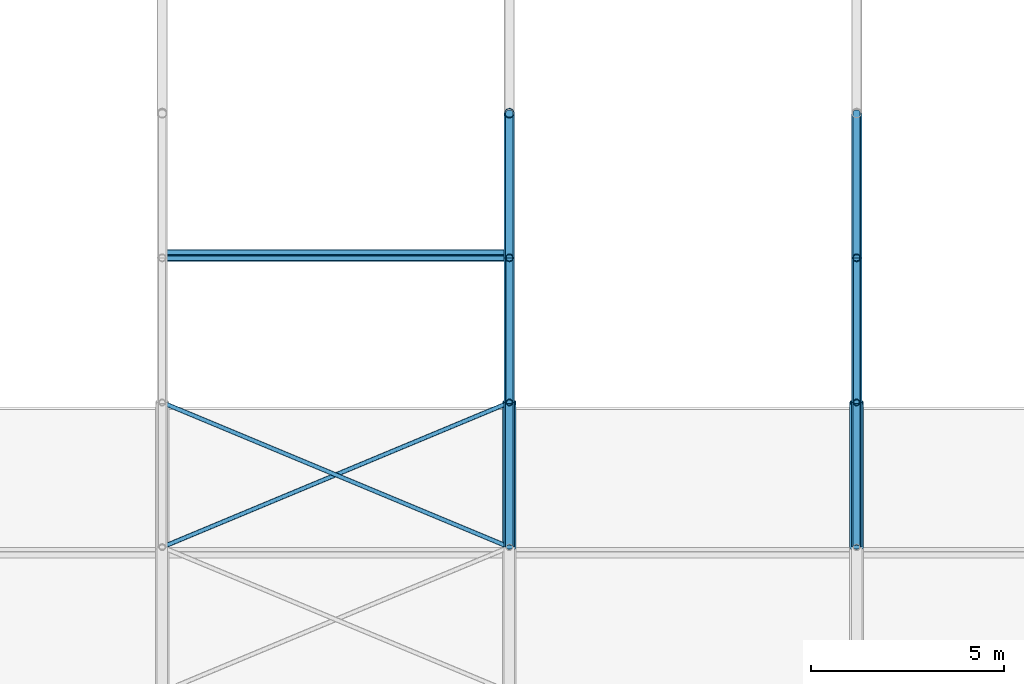
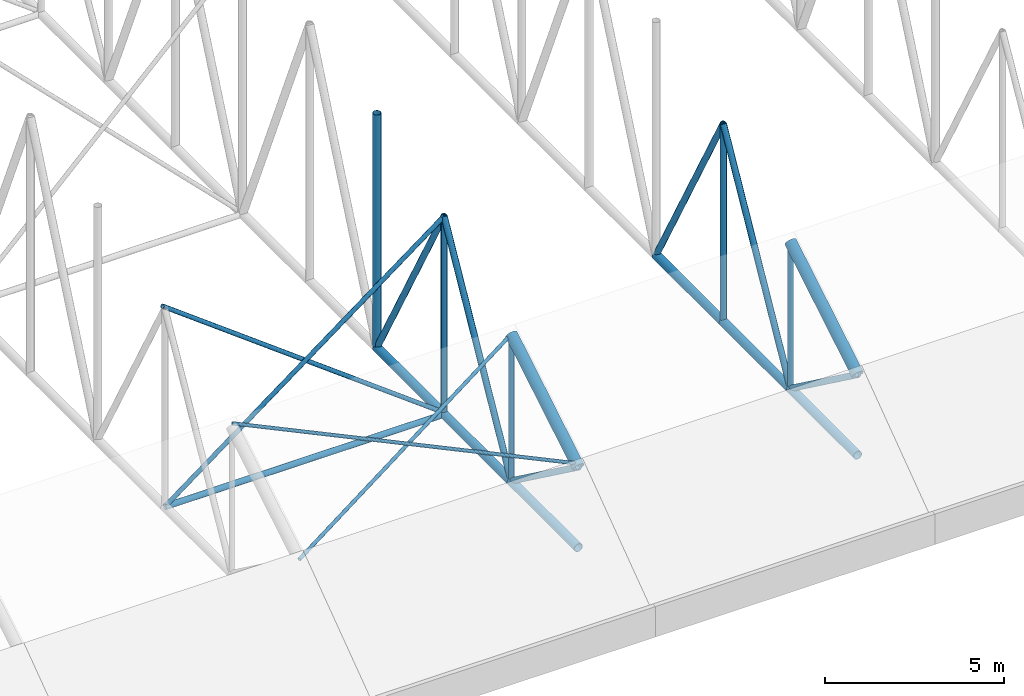
# One storey, part 53 of 153: 24 members.
"""IFC4 building model written with IfcOpenShell, lengths in metres."""

from ifc_helpers import new_model, si_unit, direction, frame, origin, origin_2d, place, context, subcontext, project, spatial, hollow_circle, extrude, material, material_profile, profile_set, type_object, element, save


model = new_model("IFC4")

# Units and contexts
model_context = context("Model", 3, precision=1e-05, world=origin(), true_north=direction((0.0, 1.0)))
body_context = subcontext(model_context, "Body", "Model", "MODEL_VIEW")
ifc_project = project(units=[si_unit("LENGTHUNIT", "METRE"), si_unit("AREAUNIT", "SQUARE_METRE"), si_unit("VOLUMEUNIT", "CUBIC_METRE"), si_unit("PLANEANGLEUNIT", "RADIAN"), si_unit("MASSUNIT", "GRAM", prefix="KILO")], contexts=[model_context])

# Site, building, storey
site_placement = place(None, origin())
site = spatial("IfcSite", under=ifc_project, at=site_placement, CompositionType="ELEMENT")
building_placement = place(site_placement, origin())
building = spatial("IfcBuilding", under=site, at=building_placement, Name="Baradari Gate Terminus", CompositionType="ELEMENT")
storey_placement = place(building_placement, frame((0.0, 0.0, 11.699951171875)))
storey = spatial("IfcBuildingStorey", under=building, at=storey_placement, Name="L02", CompositionType="ELEMENT", Elevation=11.699951171875)

# Members
ifc_material_1 = material(Name="Steel S355", Category="steel")
ifc_material_profile_1 = material_profile(ifc_material_1, hollow_circle(Radius=0.136474609375, WallThickness=0.012451171875, at=origin_2d()), Name="CHS 273x12.5")
ifc_profile_set_1 = profile_set([ifc_material_profile_1], Name="Steel S355")
member_type_1 = type_object("IfcMemberType", Name="Shed bottom chord CHS 273x12.5", PredefinedType="CHORD", material=ifc_profile_set_1)
for number, where, z_axis, x_axis, name in (
    (1, (189.0, 39.75, 0.136474609375), (0.0, 1.0, 0.0), (-1.0, 0.0, 0.0), "TR/L02/S189-BC01"),
    (2, (189.0, 43.5, 0.136474609375), (0.0, 1.0, 0.0), (-1.0, 0.0, 0.0), "TR/L02/S189-BC02"),
    (3, (189.0, 47.25, 0.136474609375), (0.0, 1.0, 0.0), (-1.0, 0.0, 0.0), "TR/L02/S189-BC03"),
    (4, (198.0, 39.75, 0.136474609375), (0.0, 1.0, 0.0), (-1.0, 0.0, 0.0), "TR/L02/S198-BC01"),
    (5, (198.0, 43.5, 0.136474609375), (0.0, 1.0, 0.0), (-1.0, 0.0, 0.0), "TR/L02/S198-BC02"),
    (6, (198.0, 47.25, 0.136474609375), (0.0, 1.0, 0.0), (-1.0, 0.0, 0.0), "TR/L02/S198-BC03"),
):
    element("IfcMember", number, at=place(storey_placement, frame(where, z_axis=z_axis, x_axis=x_axis)), inside=storey, type_object=member_type_1, Name=name, PredefinedType="CHORD", context=body_context, shape_type="SweptSolid", body=[
        extrude(hollow_circle(Radius=0.136474609375, WallThickness=0.012451171875, at=origin_2d()), origin(), (0.0, 0.0, 1.0), 3.75),
    ])
ifc_material_2 = material(Name="Steel S355", Category="steel")
ifc_material_profile_2 = material_profile(ifc_material_2, hollow_circle(Radius=0.096923828125, WallThickness=0.008056640625, at=origin_2d()), Name="CHS 193.7x8")
ifc_profile_set_2 = profile_set([ifc_material_profile_2], Name="Steel S355")
member_type_2 = type_object("IfcMemberType", Name="Shed bottom strut CHS 193.7x8", PredefinedType="STRUT", material=ifc_profile_set_2)
member_1_placement = place(storey_placement, frame((180.0, 47.25, 0.136474609375), z_axis=(1.0, 0.0, 0.0), x_axis=(0.0, 1.0, 0.0)))
element("IfcMember", 7, at=member_1_placement, inside=storey, type_object=member_type_2, Name="TR/L02/B189-ST03", PredefinedType="STRUT", context=body_context, shape_type="SweptSolid", body=[
    extrude(hollow_circle(Radius=0.096923828125, WallThickness=0.008056640625, at=origin_2d()), origin(), (0.0, 0.0, 1.0), 9.0),
])
ifc_material_3 = material(Name="Steel S355", Category="steel")
ifc_material_profile_3 = material_profile(ifc_material_3, hollow_circle(Radius=0.05712890625, WallThickness=0.00634765625, at=origin_2d()), Name="CHS 114.3x6.3")
ifc_profile_set_3 = profile_set([ifc_material_profile_3], Name="Steel S355")
member_type_3 = type_object("IfcMemberType", Name="Shed roof brace CHS 114.3x6.3", PredefinedType="BRACE", material=ifc_profile_set_3)
for number, where, z_axis, x_axis, name in (
    (8, (180.0, 39.75, 2.886474609375), (0.899438026795, 0.374765844498, 0.224859506699), (-0.384615384615, 0.923076923077, 0.0), "TR/L02/B189-RB01A"),
    (9, (189.0, 39.75, 3.000732421875), (-0.899438026795, 0.374765844498, 0.224859506699), (-0.384615384615, -0.923076923077, 0.0), "TR/L02/B189-RB01B"),
):
    element("IfcMember", number, at=place(storey_placement, frame(where, z_axis=z_axis, x_axis=x_axis)), inside=storey, type_object=member_type_3, Name=name, PredefinedType="BRACE", context=body_context, shape_type="SweptSolid", body=[
        extrude(hollow_circle(Radius=0.05712890625, WallThickness=0.00634765625, at=origin_2d()), origin(), (0.0, 0.0, 1.0), 10.00634765625),
    ])
ifc_material_4 = material(Name="Steel S355", Category="steel")
ifc_material_profile_4 = material_profile(ifc_material_4, hollow_circle(Radius=0.177734375, WallThickness=0.01611328125, at=origin_2d()), Name="CHS 355.6x16")
ifc_profile_set_4 = profile_set([ifc_material_profile_4], Name="Steel S355")
member_type_4 = type_object("IfcMemberType", Name="Shed top chord CHS 355.6x16", PredefinedType="CHORD", material=ifc_profile_set_4)
for number, where, z_axis, x_axis, name in (
    (10, (189.0, 39.75, 2.886474609375), (0.0, 0.857492925713, 0.514495755428), (-1.0, 0.0, 0.0), "TR/L02/S189-TC01"),
    (11, (198.0, 39.75, 2.886474609375), (0.0, 0.857492925713, 0.514495755428), (-1.0, 0.0, 0.0), "TR/L02/S198-TC01"),
):
    element("IfcMember", number, at=place(storey_placement, frame(where, z_axis=z_axis, x_axis=x_axis)), inside=storey, type_object=member_type_4, Name=name, PredefinedType="CHORD", context=body_context, shape_type="SweptSolid", body=[
        extrude(hollow_circle(Radius=0.177734375, WallThickness=0.01611328125, at=origin_2d()), origin(), (0.0, 0.0, 1.0), 4.373291015625),
    ])
ifc_material_5 = material(Name="Steel S355", Category="steel")
ifc_material_profile_5 = material_profile(ifc_material_5, hollow_circle(Radius=0.096923828125, WallThickness=0.008056640625, at=origin_2d()), Name="CHS 193.7x8")
ifc_profile_set_5 = profile_set([ifc_material_profile_5], Name="Steel S355")
member_type_5 = type_object("IfcMemberType", Name="Shed truss diagonal CHS 193.7x8", PredefinedType="BRACE", material=ifc_profile_set_5)
member_2_placement = place(storey_placement, frame((189.0, 39.75, 2.886474609375), z_axis=(0.0, 0.806404995856, -0.591363663628), x_axis=(-1.0, 0.0, 0.0)))
element("IfcMember", 12, at=member_2_placement, inside=storey, type_object=member_type_5, Name="TR/L02/S189-SD01", PredefinedType="BRACE", context=body_context, shape_type="SweptSolid", body=[
    extrude(hollow_circle(Radius=0.096923828125, WallThickness=0.008056640625, at=origin_2d()), origin(), (0.0, 0.0, 1.0), 4.650390625),
])
for number, where, z_axis, x_axis, name in (
    (13, (189.0, 47.25, 6.886474609375), (0.0, -0.485642931179, -0.874157276122), (1.0, 0.0, 0.0), "TR/L02/S189-SD02"),
    (14, (189.0, 47.25, 6.886474609375), (0.0, 0.485642931179, -0.874157276122), (-1.0, 0.0, 0.0), "TR/L02/S189-SD03"),
):
    element("IfcMember", number, at=place(storey_placement, frame(where, z_axis=z_axis, x_axis=x_axis)), inside=storey, type_object=member_type_5, Name=name, PredefinedType="BRACE", context=body_context, shape_type="SweptSolid", body=[
        extrude(hollow_circle(Radius=0.096923828125, WallThickness=0.008056640625, at=origin_2d()), origin(), (0.0, 0.0, 1.0), 7.7216796875),
    ])
member_3_placement = place(storey_placement, frame((198.0, 39.75, 2.886474609375), z_axis=(0.0, 0.806404995856, -0.591363663628), x_axis=(-1.0, 0.0, 0.0)))
element("IfcMember", 15, at=member_3_placement, inside=storey, type_object=member_type_5, Name="TR/L02/S198-SD01", PredefinedType="BRACE", context=body_context, shape_type="SweptSolid", body=[
    extrude(hollow_circle(Radius=0.096923828125, WallThickness=0.008056640625, at=origin_2d()), origin(), (0.0, 0.0, 1.0), 4.650390625),
])
for number, where, z_axis, x_axis, name in (
    (16, (198.0, 47.25, 6.886474609375), (0.0, -0.485642931179, -0.874157276122), (1.0, 0.0, 0.0), "TR/L02/S198-SD02"),
    (17, (198.0, 47.25, 6.886474609375), (0.0, 0.485642931179, -0.874157276122), (-1.0, 0.0, 0.0), "TR/L02/S198-SD03"),
):
    element("IfcMember", number, at=place(storey_placement, frame(where, z_axis=z_axis, x_axis=x_axis)), inside=storey, type_object=member_type_5, Name=name, PredefinedType="BRACE", context=body_context, shape_type="SweptSolid", body=[
        extrude(hollow_circle(Radius=0.096923828125, WallThickness=0.008056640625, at=origin_2d()), origin(), (0.0, 0.0, 1.0), 7.7216796875),
    ])
ifc_material_6 = material(Name="Steel S355", Category="steel")
ifc_material_profile_6 = material_profile(ifc_material_6, hollow_circle(Radius=0.084228515625, WallThickness=0.008056640625, at=origin_2d()), Name="CHS 168.3x8")
ifc_profile_set_6 = profile_set([ifc_material_profile_6], Name="Steel S355")
member_type_6 = type_object("IfcMemberType", Name="Shed truss post CHS 168.3x8", PredefinedType="POST", material=ifc_profile_set_6)
for number, where, z_axis, x_axis, name in (
    (18, (189.0, 43.5, 0.136474609375), (0.0, 0.0, 1.0), (1.0, 0.0, 0.0), "TR/L02/S189-SP02"),
    (19, (198.0, 43.5, 0.136474609375), (0.0, 0.0, 1.0), (1.0, 0.0, 0.0), "TR/L02/S198-SP02"),
):
    element("IfcMember", number, at=place(storey_placement, frame(where, z_axis=z_axis, x_axis=x_axis)), inside=storey, type_object=member_type_6, Name=name, PredefinedType="POST", context=body_context, shape_type="SweptSolid", body=[
        extrude(hollow_circle(Radius=0.084228515625, WallThickness=0.008056640625, at=origin_2d()), origin(), (0.0, 0.0, 1.0), 5.0),
    ])
ifc_material_7 = material(Name="Steel S355", Category="steel")
ifc_material_profile_7 = material_profile(ifc_material_7, hollow_circle(Radius=0.096923828125, WallThickness=0.008056640625, at=origin_2d()), Name="CHS 193.7x8")
ifc_profile_set_7 = profile_set([ifc_material_profile_7], Name="Steel S355")
member_type_7 = type_object("IfcMemberType", Name="Shed truss post CHS 193.7x8", PredefinedType="POST", material=ifc_profile_set_7)
for number, where, z_axis, x_axis, name in (
    (20, (189.0, 47.25, 0.136474609375), (0.0, 0.0, 1.0), (1.0, 0.0, 0.0), "TR/L02/S189-SP03"),
    (21, (198.0, 47.25, 0.136474609375), (0.0, 0.0, 1.0), (1.0, 0.0, 0.0), "TR/L02/S198-SP03"),
):
    element("IfcMember", number, at=place(storey_placement, frame(where, z_axis=z_axis, x_axis=x_axis)), inside=storey, type_object=member_type_7, Name=name, PredefinedType="POST", context=body_context, shape_type="SweptSolid", body=[
        extrude(hollow_circle(Radius=0.096923828125, WallThickness=0.008056640625, at=origin_2d()), origin(), (0.0, 0.0, 1.0), 6.75),
    ])
ifc_material_8 = material(Name="Steel S355", Category="steel")
ifc_material_profile_8 = material_profile(ifc_material_8, hollow_circle(Radius=0.122314453125, WallThickness=0.010009765625, at=origin_2d()), Name="CHS 244.5x10")
ifc_profile_set_8 = profile_set([ifc_material_profile_8], Name="Steel S355")
member_type_8 = type_object("IfcMemberType", Name="Shed truss post CHS 244.5x10", PredefinedType="POST", material=ifc_profile_set_8)
member_4_placement = place(storey_placement, frame((189.0, 51.0, 0.136474609375), z_axis=(0.0, 0.0, 1.0), x_axis=(1.0, 0.0, 0.0)))
element("IfcMember", 22, at=member_4_placement, inside=storey, type_object=member_type_8, Name="TR/L02/S189-SP04", PredefinedType="POST", context=body_context, shape_type="SweptSolid", body=[
    extrude(hollow_circle(Radius=0.122314453125, WallThickness=0.010009765625, at=origin_2d()), origin(), (0.0, 0.0, 1.0), 8.0),
])
ifc_material_9 = material(Name="Steel S355", Category="steel")
ifc_material_profile_9 = material_profile(ifc_material_9, hollow_circle(Radius=0.06982421875, WallThickness=0.008056640625, at=origin_2d()), Name="CHS 139.7x8")
ifc_profile_set_9 = profile_set([ifc_material_profile_9], Name="Steel S355")
member_type_9 = type_object("IfcMemberType", Name="Shed vertical brace CHS 139.7x8", PredefinedType="BRACE", material=ifc_profile_set_9)
for number, where, z_axis, x_axis, name in (
    (23, (180.0, 47.25, 0.136474609375), (0.8, 0.0, 0.6), (0.0, 1.0, 0.0), "TR/L02/B189-VB03A"),
    (24, (180.0, 47.3896484375, 6.886474609375), (0.8, 0.0, -0.6), (0.0, 1.0, 0.0), "TR/L02/B189-VB03B"),
):
    element("IfcMember", number, at=place(storey_placement, frame(where, z_axis=z_axis, x_axis=x_axis)), inside=storey, type_object=member_type_9, Name=name, PredefinedType="BRACE", context=body_context, shape_type="SweptSolid", body=[
        extrude(hollow_circle(Radius=0.06982421875, WallThickness=0.008056640625, at=origin_2d()), origin(), (0.0, 0.0, 1.0), 11.25),
    ])

save(model, "model.ifc")
